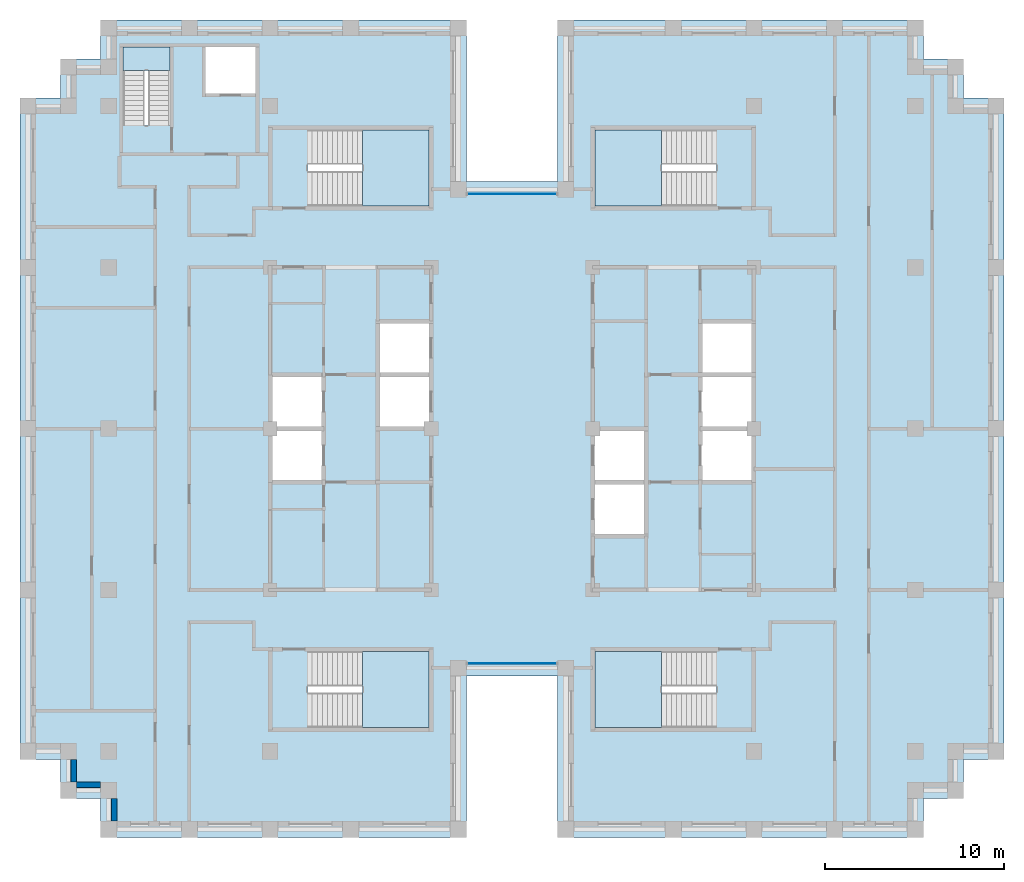
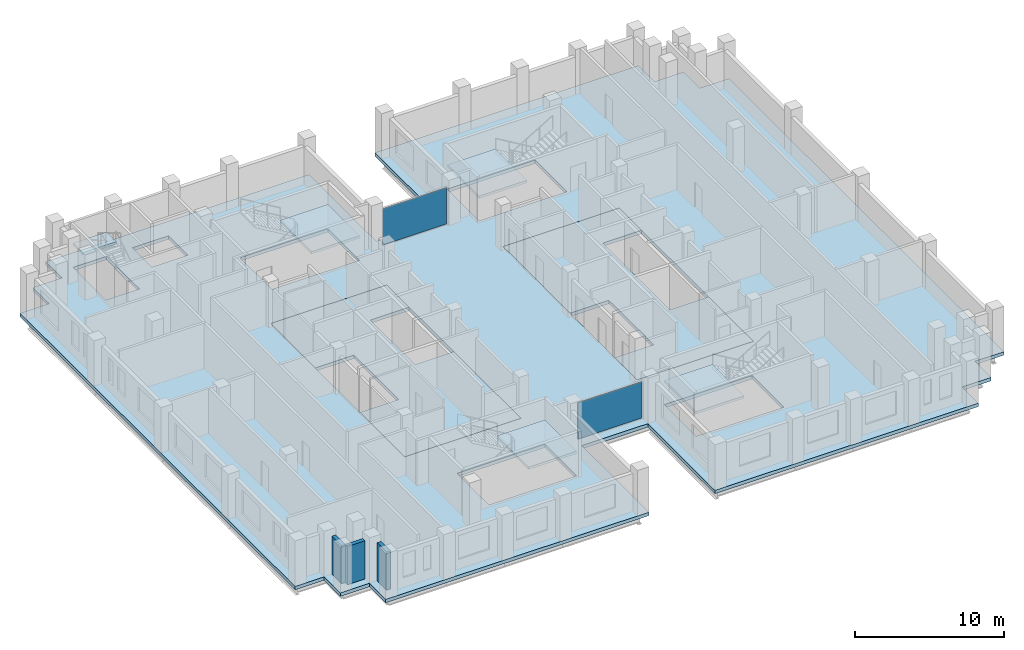
# One storey, part 5 of 13: 8 slabs, 3 walls, 2 plates, 7 elements without a shape of their own.
"""IFC4 building model written with IfcOpenShell, lengths in metres."""

import ifcopenshell
import ifcopenshell.guid

model = None  # the IFC model being written
_history = None  # IfcOwnerHistory: only IFC2X3 demands one
_inside = {}  # id of a spatial element -> (the spatial element, [elements in it])
_under = {}  # id of a project, library or spatial element -> (it, [spatial elements below it])
_declared = {}  # id of a project -> (the project, [libraries it declares])
_typed = {}  # id of a type object -> (the type object, [elements of that type])
_made_of = {}  # id of a material, layer set ... -> (it, [elements and type objects made of it])


def new_model(schema):
    """Start an empty IFC model of exactly this schema.

    Asked for "IFC4X3", IfcOpenShell would pick the latest addendum, in which some entities
    have other attributes; the version numbers below select the first issue.
    IFC2X3 requires an IfcOwnerHistory on every rooted entity: one is made here for all.
    """
    global model, _history
    if schema == "IFC4X3":
        model = ifcopenshell.file(schema_version=(4, 3, 0, 0))
    else:
        model = ifcopenshell.file(schema=schema)
    _inside.clear()
    _under.clear()
    _declared.clear()
    _typed.clear()
    _made_of.clear()
    _history = None
    if model.schema == "IFC2X3":
        org = make("IfcOrganization", Name="unknown")
        user = make(
            "IfcPersonAndOrganization",
            ThePerson=make("IfcPerson", FamilyName="unknown"),
            TheOrganization=org,
        )
        app = make(
            "IfcApplication",
            ApplicationDeveloper=org,
            Version="unknown",
            ApplicationFullName="unknown",
            ApplicationIdentifier="unknown",
        )
        _history = make(
            "IfcOwnerHistory",
            OwningUser=user,
            OwningApplication=app,
            ChangeAction="ADDED",
            CreationDate=0,
        )
    return model


def make(cls, **values):
    """One entity of the class cls with the attributes given. An attribute that is None is left unset."""
    return model.create_entity(
        cls, **{name: value for name, value in values.items() if value is not None}
    )


def rooted(cls, **values):
    """An entity with a GlobalId (a new one), such as an element, a storey or a relation."""
    return make(cls, GlobalId=ifcopenshell.guid.new(), OwnerHistory=_history, **values)


def si_unit(unit_type, name, prefix=None):
    """IfcSIUnit, for example si_unit("LENGTHUNIT", "METRE", prefix="MILLI")."""
    return make("IfcSIUnit", UnitType=unit_type, Prefix=prefix, Name=name)


def assignment(units):
    """IfcUnitAssignment: the units of a project."""
    return None if units is None else make("IfcUnitAssignment", Units=units)


def point(xyz):
    """IfcCartesianPoint."""
    return None if xyz is None else make("IfcCartesianPoint", Coordinates=xyz)


def direction(xyz):
    """IfcDirection."""
    return None if xyz is None else make("IfcDirection", DirectionRatios=xyz)


def frame(location, z_axis=None, x_axis=None):
    """IfcAxis2Placement3D, a coordinate frame: its origin and axes. An axis left out is left unset."""
    return make(
        "IfcAxis2Placement3D",
        Location=point(location),
        Axis=direction(z_axis),
        RefDirection=direction(x_axis),
    )


def frame_2d(location, x_axis=None):
    """IfcAxis2Placement2D, a coordinate frame in the plane: its origin and x axis."""
    return make(
        "IfcAxis2Placement2D", Location=point(location), RefDirection=direction(x_axis)
    )


def origin():
    """The frame at (0, 0, 0) with its axes left unset."""
    return frame((0.0, 0.0, 0.0))


def origin_2d():
    """The frame at (0, 0) in the plane with its x axis left unset."""
    return frame_2d((0.0, 0.0))


def place(relative_to, where):
    """IfcLocalPlacement: puts the frame where relative to a parent placement (None: the world)."""
    return make(
        "IfcLocalPlacement", PlacementRelTo=relative_to, RelativePlacement=where
    )


def context(
    kind, dimensions, precision=None, world=None, true_north=None, identifier=None
):
    """IfcGeometricRepresentationContext, for example the 3D "Model" context."""
    return make(
        "IfcGeometricRepresentationContext",
        ContextIdentifier=identifier,
        ContextType=kind,
        CoordinateSpaceDimension=dimensions,
        Precision=precision,
        WorldCoordinateSystem=world,
        TrueNorth=true_north,
    )


def subcontext(parent, identifier, kind, view, scale=None):
    """IfcGeometricRepresentationSubContext, for example "Body" below "Model"."""
    return make(
        "IfcGeometricRepresentationSubContext",
        ContextIdentifier=identifier,
        ContextType=kind,
        ParentContext=parent,
        TargetScale=scale,
        TargetView=view,
    )


def project(units=None, contexts=None):
    """IfcProject with its units and contexts."""
    return rooted(
        "IfcProject",
        Name="project",
        RepresentationContexts=contexts,
        UnitsInContext=assignment(units),
    )


def spatial(cls, under=None, at=None, **own):
    """A site, building, storey or space (cls), placed at a placement, below another one or the project."""
    s = rooted(cls, ObjectPlacement=at, **own)
    if under is not None:
        _under.setdefault(under.id(), (under, []))[1].append(s)
    return s


def polyline(points):
    """IfcPolyline through the points."""
    return make("IfcPolyline", Points=[point(p) for p in points])


def profile(cls, at=None, kind="AREA", **sizes):
    """A parametric profile (cls). Its sizes go by their IFC names, for example OverallWidth=200.0."""
    return make(cls, ProfileType=kind, Position=at, **sizes)


def rectangle(**sizes):
    """IfcRectangleProfileDef."""
    return profile("IfcRectangleProfileDef", **sizes)


def outline(outer, holes=None, kind="AREA"):
    """IfcArbitraryClosedProfileDef: a profile drawn as a closed curve; with holes, ...WithVoids."""
    if holes is None:
        return make("IfcArbitraryClosedProfileDef", ProfileType=kind, OuterCurve=outer)
    return make(
        "IfcArbitraryProfileDefWithVoids",
        ProfileType=kind,
        OuterCurve=outer,
        InnerCurves=holes,
    )


def extrude(swept, where, along, depth):
    """IfcExtrudedAreaSolid: the profile swept, set in the frame where, extruded along a direction by depth."""
    return make(
        "IfcExtrudedAreaSolid",
        SweptArea=swept,
        Position=where,
        ExtrudedDirection=direction(along),
        Depth=depth,
    )


def shape(context_of_items, identifier, shape_type, items):
    """IfcShapeRepresentation: the items that make up one representation, for example the "Body"."""
    return make(
        "IfcShapeRepresentation",
        ContextOfItems=context_of_items,
        RepresentationIdentifier=identifier,
        RepresentationType=shape_type,
        Items=items,
    )


def material(Name=None, Category=None):
    """IfcMaterial."""
    return make("IfcMaterial", Name=Name, Category=Category)


def layer(
    of_material, thickness, ventilated=None, Name=None, Category=None, Priority=None
):
    """IfcMaterialLayer: one layer of a wall or slab, of a material (None: an air gap)."""
    return make(
        "IfcMaterialLayer",
        Material=of_material,
        LayerThickness=thickness,
        IsVentilated=ventilated,
        Name=Name,
        Category=Category,
        Priority=Priority,
    )


def layer_set(layers, Name=None):
    """IfcMaterialLayerSet."""
    return make("IfcMaterialLayerSet", MaterialLayers=layers, LayerSetName=Name)


def made_of(thing, what):
    """Note that an element or type object is made of a material, layer set ...; save() writes the relation."""
    if what is not None:
        _made_of.setdefault(what.id(), (what, []))[1].append(thing)
    return thing


def type_object(cls, material=None, **own):
    """A type object (cls), such as IfcWallType, which elements share."""
    return made_of(rooted(cls, **own), material)


def element(
    cls,
    number,
    at=None,
    inside=None,
    cuts=None,
    type_object=None,
    material=None,
    context=None,
    identifier="Body",
    shape_type=None,
    held_by="IfcProductDefinitionShape",
    body=None,
    shapes=None,
    **own,
):
    """One element of the class cls, such as IfcWall. Its Tag is "e" and its number.

    at: its placement. inside: the storey or other place that contains it. cuts: it is an
    opening in that element (IfcRelVoidsElement). A single representation is given by context,
    identifier, shape_type and body (its items); several are given by shapes. held_by: the class
    of the entity that holds the representations. save() writes the other relations.
    """
    e = rooted(cls, Tag="e%d" % number, ObjectPlacement=at, **own)
    if body is not None:
        shapes = [shape(context, identifier, shape_type, body)]
    if shapes is not None:
        e.Representation = make(held_by, Representations=shapes)
    if inside is not None:
        _inside.setdefault(inside.id(), (inside, []))[1].append(e)
    if cuts is not None:
        rooted(
            "IfcRelVoidsElement", RelatingBuildingElement=cuts, RelatedOpeningElement=e
        )
    if type_object is not None:
        _typed.setdefault(type_object.id(), (type_object, []))[1].append(e)
    return made_of(e, material)


def aggregate(whole, parts):
    """IfcRelAggregates: a whole, such as a stair, and the parts it consists of."""
    return rooted("IfcRelAggregates", RelatingObject=whole, RelatedObjects=parts)


def save(model, path):
    """Write the relations noted so far, then the file.

    IfcRelAggregates (storeys below a building ...), IfcRelContainedInSpatialStructure (elements
    in a storey), IfcRelDefinesByType, IfcRelAssociatesMaterial and IfcRelDeclares: one each for
    every whole, place, type object, material and project.
    """
    for whole, parts in _under.values():
        aggregate(whole, parts)
    for where, things in _inside.values():
        rooted(
            "IfcRelContainedInSpatialStructure",
            RelatedElements=things,
            RelatingStructure=where,
        )
    for kind, things in _typed.values():
        rooted("IfcRelDefinesByType", RelatedObjects=things, RelatingType=kind)
    for what, things in _made_of.values():
        rooted("IfcRelAssociatesMaterial", RelatedObjects=things, RelatingMaterial=what)
    for by, libraries in _declared.values():
        rooted("IfcRelDeclares", RelatingContext=by, RelatedDefinitions=libraries)
    model.write(path)


model = new_model("IFC4")

# Units and contexts
model_context = context("Model", 3, precision=1e-05, world=origin(), true_north=direction((0.0, 1.0)))
body_context = subcontext(model_context, "Body", "Model", "MODEL_VIEW")
ifc_project = project(units=[si_unit("LENGTHUNIT", "METRE"), si_unit("AREAUNIT", "SQUARE_METRE"), si_unit("VOLUMEUNIT", "CUBIC_METRE"), si_unit("PLANEANGLEUNIT", "RADIAN"), si_unit("MASSUNIT", "GRAM", prefix="KILO")], contexts=[model_context])

# Site, building, storey
site_placement = place(None, origin())
site = spatial("IfcSite", under=ifc_project, at=site_placement, CompositionType="ELEMENT")
building_placement = place(site_placement, origin())
building = spatial("IfcBuilding", under=site, at=building_placement, Name="Corbelhall Arena Tower", CompositionType="ELEMENT")
storey_placement = place(building_placement, frame((0.0, 0.0, 266.0)))
storey = spatial("IfcBuildingStorey", under=building, at=storey_placement, Name="L57", CompositionType="ELEMENT", Elevation=266.0)

# Curtain wall, plate
ifc_material_1 = material(Name="Aluminium black anodised", Category="aluminium")
ifc_layer_1 = layer(ifc_material_1, 0.199951171875)
ifc_layer_set_1 = layer_set([ifc_layer_1], Name="EV-CW1 Slot back wall")
curtain_wall_type = type_object("IfcCurtainWallType", Name="EV-CW1 Slot back wall", PredefinedType="NOTDEFINED", material=ifc_layer_set_1)
curtain_wall_1_placement = place(storey_placement, origin())
curtain_wall_1 = element("IfcCurtainWall", 1, at=curtain_wall_1_placement, inside=storey, type_object=curtain_wall_type, Name="Curtain wall CW1", PredefinedType="NOTDEFINED")
ifc_material_2 = material(Name="Glass dark tinted laminated", Category="glass")
ifc_layer_2 = layer(ifc_material_2, 0.028076171875)
ifc_layer_set_2 = layer_set([ifc_layer_2], Name="EV-CW1-PANEL")
plate_type = type_object("IfcPlateType", Name="EV-CW1-PANEL", PredefinedType="CURTAIN_PANEL", material=ifc_layer_set_2)
plate_1_placement = place(storey_placement, frame((0.0, -13.10009765625, 0.0751953125), z_axis=(0.0, 0.0, 1.0), x_axis=(1.0, 0.0, 0.0)))
plate_1 = element("IfcPlate", 2, at=plate_1_placement, type_object=plate_type, Name="CW1 panel 1.1", PredefinedType="CURTAIN_PANEL", context=body_context, shape_type="SweptSolid", body=[
    extrude(rectangle(XDim=4.949951171875, YDim=0.028076171875, at=origin_2d()), origin(), (0.0, 0.0, 1.0), 2.969970703125),
])
aggregate(curtain_wall_1, [plate_1])

curtain_wall_2_placement = place(storey_placement, origin())
curtain_wall_2 = element("IfcCurtainWall", 3, at=curtain_wall_2_placement, inside=storey, type_object=curtain_wall_type, Name="Curtain wall CW1", PredefinedType="NOTDEFINED")
plate_2_placement = place(storey_placement, frame((0.0, 13.10009765625, 0.0751953125), z_axis=(0.0, 0.0, 1.0), x_axis=(-1.0, 0.0, 0.0)))
plate_2 = element("IfcPlate", 4, at=plate_2_placement, type_object=plate_type, Name="CW1 panel 1.1", PredefinedType="CURTAIN_PANEL", context=body_context, shape_type="SweptSolid", body=[
    extrude(rectangle(XDim=4.949951171875, YDim=0.028076171875, at=origin_2d()), origin(), (0.0, 0.0, 1.0), 2.969970703125),
])
aggregate(curtain_wall_2, [plate_2])

# Slabs
ifc_material_3 = material(Name="Concrete C40/50", Category="concrete")
ifc_layer_3 = layer(ifc_material_3, 0.300048828125)
ifc_layer_set_3 = layer_set([ifc_layer_3], Name="IN-SL-CORE")
slab_type_1 = type_object("IfcSlabType", Name="IN-SL-CORE", PredefinedType="FLOOR", material=ifc_layer_set_3)
slab_1_placement = place(storey_placement, frame((0.0, 0.0, -0.280029296875)))
element("IfcSlab", 5, at=slab_1_placement, inside=storey, type_object=slab_type_1, Name="Core floor W", PredefinedType="FLOOR", context=body_context, shape_type="SweptSolid", body=[
    extrude(outline(polyline([(-10.5, -3.0), (-13.5, -3.0), (-13.5, -9.0), (-4.5, -9.0), (-4.5, 0.0), (-7.5, 0.0), (-7.5, 3.0), (-7.5, 6.0), (-4.5, 6.0), (-4.5, 9.0), (-13.5, 9.0), (-13.5, 3.0), (-10.5, 3.0), (-10.5, 0.0), (-10.5, -3.0)])), origin(), (0.0, 0.0, 1.0), 0.280029296875),
])
slab_2_placement = place(storey_placement, frame((0.0, 0.0, -0.280029296875)))
element("IfcSlab", 6, at=slab_2_placement, inside=storey, type_object=slab_type_1, Name="Core floor E", PredefinedType="FLOOR", context=body_context, shape_type="SweptSolid", body=[
    extrude(outline(polyline([(13.5, -3.0), (10.5, -3.0), (10.5, 0.0), (10.5, 3.0), (10.5, 6.0), (13.5, 6.0), (13.5, 9.0), (4.5, 9.0), (4.5, 0.0), (7.5, 0.0), (7.5, -3.0), (7.5, -6.0), (4.5, -6.0), (4.5, -9.0), (13.5, -9.0), (13.5, -3.0)])), origin(), (0.0, 0.0, 1.0), 0.280029296875),
])

# Stair, slab
stair_type = type_object("IfcStairType", Name="IN-ST-TOWER", PredefinedType="HALF_TURN_STAIR", material=ifc_material_3)
stair_1_placement = place(storey_placement, origin())
stair_1 = element("IfcStair", 7, at=stair_1_placement, inside=storey, type_object=stair_type, Name="L57 Exit stair ST1", PredefinedType="HALF_TURN_STAIR")
ifc_layer_4 = layer(ifc_material_3, 0.199951171875)
ifc_layer_set_4 = layer_set([ifc_layer_4], Name="IN-SL-LANDING")
slab_type_2 = type_object("IfcSlabType", Name="IN-SL-LANDING", PredefinedType="LANDING", material=ifc_layer_set_4)
slab_3_placement = place(storey_placement, frame((0.0, 0.0, 1.800048828125)))
slab_3 = element("IfcSlab", 8, at=slab_3_placement, type_object=slab_type_2, Name="ST1 landing 1", PredefinedType="LANDING", context=body_context, shape_type="SweptSolid", body=[
    extrude(outline(polyline([(-8.344970703125, 12.425048828125), (-4.625, 12.425048828125), (-4.625, 16.675048828125), (-8.344970703125, 16.675048828125), (-8.344970703125, 12.425048828125)])), origin(), (0.0, 0.0, 1.0), 0.199951171875),
])
aggregate(stair_1, [slab_3])

stair_2_placement = place(storey_placement, origin())
stair_2 = element("IfcStair", 9, at=stair_2_placement, inside=storey, type_object=stair_type, Name="L57 Exit stair ST2", PredefinedType="HALF_TURN_STAIR")
slab_4_placement = place(storey_placement, frame((0.0, 0.0, 1.800048828125)))
slab_4 = element("IfcSlab", 10, at=slab_4_placement, type_object=slab_type_2, Name="ST2 landing 1", PredefinedType="LANDING", context=body_context, shape_type="SweptSolid", body=[
    extrude(outline(polyline([(-8.344970703125, -16.675048828125), (-4.625, -16.675048828125), (-4.625, -12.425048828125), (-8.344970703125, -12.425048828125), (-8.344970703125, -16.675048828125)])), origin(), (0.0, 0.0, 1.0), 0.199951171875),
])
aggregate(stair_2, [slab_4])

stair_3_placement = place(storey_placement, origin())
stair_3 = element("IfcStair", 11, at=stair_3_placement, inside=storey, type_object=stair_type, Name="L57 Exit stair ST3", PredefinedType="HALF_TURN_STAIR")
slab_5_placement = place(storey_placement, frame((0.0, 0.0, 1.800048828125)))
slab_5 = element("IfcSlab", 12, at=slab_5_placement, type_object=slab_type_2, Name="ST3 landing 1", PredefinedType="LANDING", context=body_context, shape_type="SweptSolid", body=[
    extrude(outline(polyline([(8.344970703125, 16.675048828125), (4.625, 16.675048828125), (4.625, 12.425048828125), (8.344970703125, 12.425048828125), (8.344970703125, 16.675048828125)])), origin(), (0.0, 0.0, 1.0), 0.199951171875),
])
aggregate(stair_3, [slab_5])

stair_4_placement = place(storey_placement, origin())
stair_4 = element("IfcStair", 13, at=stair_4_placement, inside=storey, type_object=stair_type, Name="L57 Exit stair ST4", PredefinedType="HALF_TURN_STAIR")
slab_6_placement = place(storey_placement, frame((0.0, 0.0, 1.800048828125)))
slab_6 = element("IfcSlab", 14, at=slab_6_placement, type_object=slab_type_2, Name="ST4 landing 1", PredefinedType="LANDING", context=body_context, shape_type="SweptSolid", body=[
    extrude(outline(polyline([(8.344970703125, -12.425048828125), (4.625, -12.425048828125), (4.625, -16.675048828125), (8.344970703125, -16.675048828125), (8.344970703125, -12.425048828125)])), origin(), (0.0, 0.0, 1.0), 0.199951171875),
])
aggregate(stair_4, [slab_6])

stair_5_placement = place(storey_placement, origin())
stair_5 = element("IfcStair", 15, at=stair_5_placement, inside=storey, type_object=stair_type, Name="L57 Exit stair ST5", PredefinedType="HALF_TURN_STAIR")
slab_7_placement = place(storey_placement, frame((0.0, 0.0, 1.800048828125)))
slab_7 = element("IfcSlab", 16, at=slab_7_placement, type_object=slab_type_2, Name="ST5 landing 1", PredefinedType="LANDING", context=body_context, shape_type="SweptSolid", body=[
    extrude(outline(polyline([(-19.094970703125, 19.97998046875), (-19.094970703125, 21.300048828125), (-21.695068359375, 21.300048828125), (-21.695068359375, 19.97998046875), (-19.094970703125, 19.97998046875)])), origin(), (0.0, 0.0, 1.0), 0.199951171875),
])
aggregate(stair_5, [slab_7])

# Slab
ifc_layer_5 = layer(ifc_material_3, 0.280029296875)
ifc_layer_set_5 = layer_set([ifc_layer_5], Name="ST-SLAB-FLOOR-280")
slab_type_3 = type_object("IfcSlabType", Name="ST-SLAB-FLOOR-280", PredefinedType="FLOOR", material=ifc_layer_set_5)
slab_8_placement = place(storey_placement, frame((0.0, 0.0, -0.280029296875)))
element("IfcSlab", 17, at=slab_8_placement, inside=storey, type_object=slab_type_3, Name="Floor slab L57 1", PredefinedType="FLOOR", context=body_context, shape_type="SweptSolid", body=[
    extrude(outline(polyline([(22.949951171875, 22.800048828125), (2.550048828125, 22.800048828125), (2.550048828125, 13.800048828125), (-2.550048828125, 13.800048828125), (-2.550048828125, 22.800048828125), (-22.949951171875, 22.800048828125), (-22.949951171875, 20.625), (-25.199951171875, 20.625), (-25.199951171875, 18.449951171875), (-27.449951171875, 18.449951171875), (-27.449951171875, -18.449951171875), (-25.199951171875, -18.449951171875), (-25.199951171875, -20.625), (-22.949951171875, -20.625), (-22.949951171875, -22.800048828125), (-2.550048828125, -22.800048828125), (-2.550048828125, -13.800048828125), (2.550048828125, -13.800048828125), (2.550048828125, -22.800048828125), (22.949951171875, -22.800048828125), (22.949951171875, -20.625), (25.199951171875, -20.625), (25.199951171875, -18.449951171875), (27.449951171875, -18.449951171875), (27.449951171875, 18.449951171875), (25.199951171875, 18.449951171875), (25.199951171875, 20.625), (22.949951171875, 20.625), (22.949951171875, 22.800048828125)]), holes=[polyline([(-13.5, 9.0), (-13.5, -9.0), (-4.5, -9.0), (-4.5, 9.0), (-13.5, 9.0)]), polyline([(4.5, 9.0), (4.5, -9.0), (13.5, -9.0), (13.5, 9.0), (4.5, 9.0)]), polyline([(-4.625, 16.675048828125), (-11.422119140625, 16.675048828125), (-11.422119140625, 12.425048828125), (-4.625, 12.425048828125), (-4.625, 16.675048828125)]), polyline([(-4.625, -16.675048828125), (-4.625, -12.425048828125), (-11.422119140625, -12.425048828125), (-11.422119140625, -16.675048828125), (-4.625, -16.675048828125)]), polyline([(11.422119140625, 16.675048828125), (4.625, 16.675048828125), (4.625, 12.425048828125), (11.422119140625, 12.425048828125), (11.422119140625, 16.675048828125)]), polyline([(11.422119140625, -16.675048828125), (11.422119140625, -12.425048828125), (4.625, -12.425048828125), (4.625, -16.675048828125), (11.422119140625, -16.675048828125)]), polyline([(-21.695068359375, 21.300048828125), (-21.695068359375, 16.903076171875), (-19.094970703125, 16.903076171875), (-19.094970703125, 21.300048828125), (-21.695068359375, 21.300048828125)]), polyline([(-14.300048828125, 21.300048828125), (-17.10009765625, 21.300048828125), (-17.10009765625, 18.699951171875), (-14.300048828125, 18.699951171875), (-14.300048828125, 21.300048828125)])]), origin(), (0.0, 0.0, 1.0), 0.280029296875),
])

# Walls
ifc_material_4 = material(Name="Precast concrete C40/50 with granite facing", Category="masonry")
ifc_layer_6 = layer(ifc_material_4, 0.300048828125)
ifc_layer_set_6 = layer_set([ifc_layer_6], Name="EV-IW1 Infill panel 300")
wall_type = type_object("IfcWallType", Name="EV-IW1 Infill panel 300", PredefinedType="SOLIDWALL", material=ifc_layer_set_6)
wall_1_placement = place(storey_placement, frame((-24.449951171875, -18.449951171875, 0.0), z_axis=(0.0, 0.0, 1.0), x_axis=(0.0, -1.0, 0.0)))
element("IfcWall", 18, at=wall_1_placement, inside=storey, type_object=wall_type, Name="Infill panel IW1", PredefinedType="SOLIDWALL", context=body_context, shape_type="SweptSolid", body=[
    extrude(rectangle(XDim=1.275146484375, YDim=0.300048828125, at=frame_2d((0.6376953125, 0.0))), origin(), (0.0, 0.0, 1.0), 3.1201171875),
])
wall_2_placement = place(storey_placement, frame((-24.300048828125, -19.875, 0.0), z_axis=(0.0, 0.0, 1.0), x_axis=(1.0, 0.0, 0.0)))
element("IfcWall", 19, at=wall_2_placement, inside=storey, type_object=wall_type, Name="Infill panel IW1", PredefinedType="SOLIDWALL", context=body_context, shape_type="SweptSolid", body=[
    extrude(rectangle(XDim=1.35009765625, YDim=0.300048828125, at=frame_2d((0.675048828125, 0.0))), origin(), (0.0, 0.0, 1.0), 3.1201171875),
])
wall_3_placement = place(storey_placement, frame((-22.199951171875, -20.625, 0.0), z_axis=(0.0, 0.0, 1.0), x_axis=(0.0, -1.0, 0.0)))
element("IfcWall", 20, at=wall_3_placement, inside=storey, type_object=wall_type, Name="Infill panel IW1", PredefinedType="SOLIDWALL", context=body_context, shape_type="SweptSolid", body=[
    extrude(rectangle(XDim=1.27490234375, YDim=0.300048828125, at=frame_2d((0.637451171875, 0.0))), origin(), (0.0, 0.0, 1.0), 3.1201171875),
])

save(model, "model.ifc")
